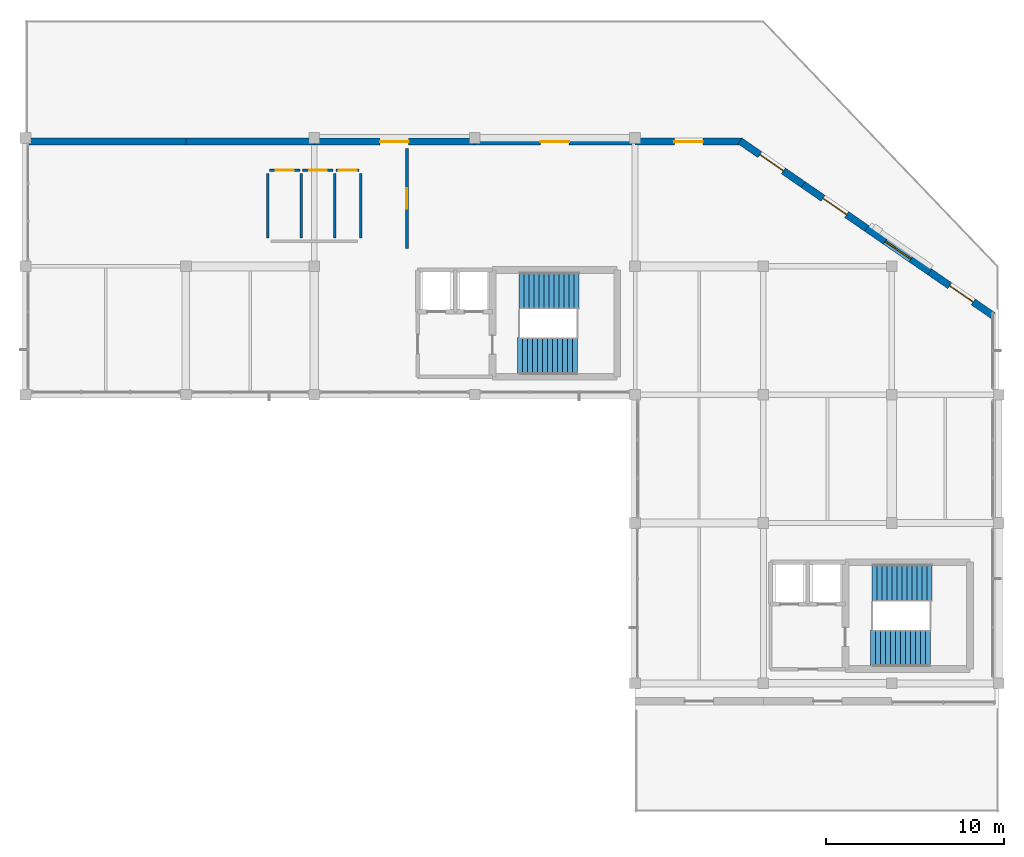
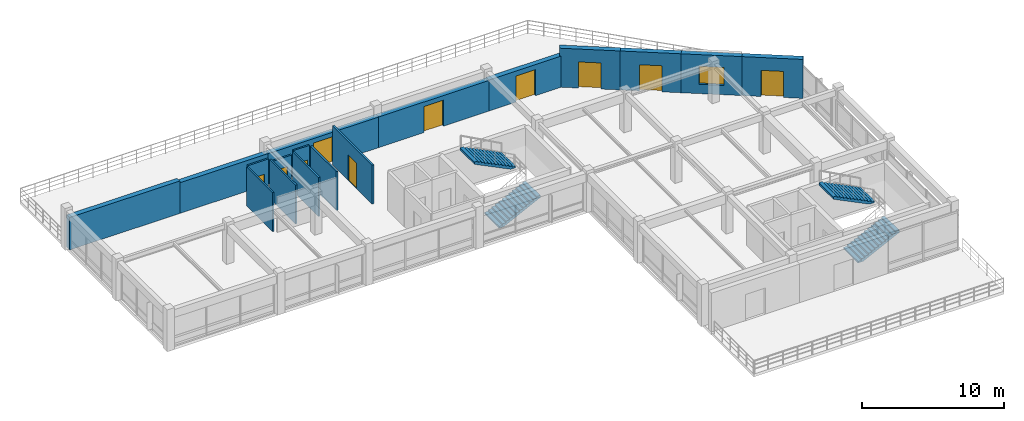
# One storey, part 9 of 12: 17 walls, 10 doors, 4 stair flights, 1 window, 11 openings, 2 elements without a shape of their own.
"""IFC4 building model written with IfcOpenShell, lengths in metres."""

from ifc_helpers import new_model, si_unit, direction, frame, frame_2d, origin, place, context, subcontext, project, spatial, polyline, rectangle, outline, extrude, material, layer, layer_set, type_object, element, fill, aggregate, save


model = new_model("IFC4")

# Units and contexts
model_context = context("Model", 3, precision=1e-05, world=origin(), true_north=direction((0.0, 1.0)))
body_context = subcontext(model_context, "Body", "Model", "MODEL_VIEW")
ifc_project = project(units=[si_unit("LENGTHUNIT", "METRE"), si_unit("AREAUNIT", "SQUARE_METRE"), si_unit("VOLUMEUNIT", "CUBIC_METRE"), si_unit("PLANEANGLEUNIT", "RADIAN"), si_unit("MASSUNIT", "GRAM", prefix="KILO")], contexts=[model_context])

# Site, building, storey
site_placement = place(None, origin())
site = spatial("IfcSite", under=ifc_project, at=site_placement, CompositionType="ELEMENT")
building_placement = place(site_placement, origin())
building = spatial("IfcBuilding", under=site, at=building_placement, Name="Clarverna Civic Hall", CompositionType="ELEMENT")
storey_placement = place(building_placement, frame((0.0, 0.0, 24.0)))
storey = spatial("IfcBuildingStorey", under=building, at=storey_placement, Name="L06", CompositionType="ELEMENT", Elevation=24.0)

# Walls
ifc_material_1 = material(Name="Montjuic Limestone Ashlar Cladding", Category="masonry")
ifc_layer_1 = layer(ifc_material_1, 0.39990234375)
ifc_layer_set_1 = layer_set([ifc_layer_1], Name="Montjuic Limestone Ashlar Cladding")
wall_type_1 = type_object("IfcWallType", Name="EW-02", PredefinedType="SOLIDWALL", material=ifc_layer_set_1)
wall_1_placement = place(storey_placement, frame((113.39990234375, 109.199951171875, 0.0), z_axis=(0.0, 0.0, 1.0), x_axis=(1.0, 0.0, 0.0)))
element("IfcWall", 1, at=wall_1_placement, inside=storey, type_object=wall_type_1, Name="EW-02-271", PredefinedType="SOLIDWALL", context=body_context, shape_type="SweptSolid", body=[
    extrude(rectangle(XDim=9.0, YDim=0.39990234375, at=frame_2d((4.5, 0.0))), origin(), (0.0, 0.0, 1.0), 2.800048828125),
])
wall_2_placement = place(storey_placement, frame((122.39990234375, 109.199951171875, 0.0), z_axis=(0.0, 0.0, 1.0), x_axis=(1.0, 0.0, 0.0)))
element("IfcWall", 2, at=wall_2_placement, inside=storey, type_object=wall_type_1, Name="EW-02-272", PredefinedType="SOLIDWALL", context=body_context, shape_type="SweptSolid", body=[
    extrude(rectangle(XDim=7.2001953125, YDim=0.39990234375, at=frame_2d((3.60009765625, 0.0))), origin(), (0.0, 0.0, 1.0), 2.639892578125),
])

# Wall, opening, door
wall_3_placement = place(storey_placement, frame((129.60009765625, 109.199951171875, 0.0), z_axis=(0.0, 0.0, 1.0), x_axis=(1.0, 0.0, 0.0)))
wall_3 = element("IfcWall", 3, at=wall_3_placement, inside=storey, type_object=wall_type_1, Name="EW-02-273", PredefinedType="SOLIDWALL", context=body_context, shape_type="SweptSolid", body=[
    extrude(rectangle(XDim=9.0, YDim=0.39990234375, at=frame_2d((4.5, 0.0))), origin(), (0.0, 0.0, 1.0), 2.639892578125),
])
opening_1_placement = place(wall_3_placement, frame((3.699951171875, 0.0, 0.0)))
opening_1 = element("IfcOpeningElement", 4, at=opening_1_placement, cuts=wall_3, Name="Opening ED-04", PredefinedType="OPENING", context=body_context, shape_type="SweptSolid", body=[
    extrude(rectangle(XDim=1.60009765625, YDim=2.25, at=frame_2d((0.800048828125, 1.125))), frame((0.0, 0.2099609375, 0.0), z_axis=(0.0, -1.0, 0.0), x_axis=(1.0, 0.0, 0.0)), (0.0, 0.0, 1.0), 0.419921875),
])
ifc_material_2 = material(Name="Anodised Bronze Glazed Door")
door_type_1 = type_object("IfcDoorType", Name="ED-04", OperationType="DOUBLE_DOOR_SINGLE_SWING", PredefinedType="DOOR", material=ifc_material_2)
door_1_placement = place(opening_1_placement, origin())
door_1 = element("IfcDoor", 5, at=door_1_placement, inside=storey, type_object=door_type_1, Name="ED-04-038", OperationType="DOUBLE_DOOR_SINGLE_SWING", OverallHeight=2.25, OverallWidth=1.60009765625, PredefinedType="DOOR", context=body_context, shape_type="SweptSolid", body=[
    extrude(rectangle(XDim=1.60009765625, YDim=2.25, at=frame_2d((0.800048828125, 1.125))), frame((0.0, 0.02490234375, 0.0), z_axis=(0.0, -1.0, 0.0), x_axis=(1.0, 0.0, 0.0)), (0.0, 0.0, 1.0), 0.050048828125),
])
fill(opening_1, door_1)

wall_4_placement = place(storey_placement, frame((138.60009765625, 109.199951171875, 0.0), z_axis=(0.0, 0.0, 1.0), x_axis=(1.0, 0.0, 0.0)))
wall_4 = element("IfcWall", 6, at=wall_4_placement, inside=storey, type_object=wall_type_1, Name="EW-02-274", PredefinedType="SOLIDWALL", context=body_context, shape_type="SweptSolid", body=[
    extrude(rectangle(XDim=9.0, YDim=0.39990234375, at=frame_2d((4.5, 0.0))), origin(), (0.0, 0.0, 1.0), 2.639892578125),
])
opening_2_placement = place(wall_4_placement, frame((3.699951171875, 0.0, 0.0)))
opening_2 = element("IfcOpeningElement", 7, at=opening_2_placement, cuts=wall_4, Name="Opening ED-04", PredefinedType="OPENING", context=body_context, shape_type="SweptSolid", body=[
    extrude(rectangle(XDim=1.60009765625, YDim=2.25, at=frame_2d((0.800048828125, 1.125))), frame((0.0, 0.2099609375, 0.0), z_axis=(0.0, -1.0, 0.0), x_axis=(1.0, 0.0, 0.0)), (0.0, 0.0, 1.0), 0.419921875),
])
door_2_placement = place(opening_2_placement, origin())
door_2 = element("IfcDoor", 8, at=door_2_placement, inside=storey, type_object=door_type_1, Name="ED-04-039", OperationType="DOUBLE_DOOR_SINGLE_SWING", OverallHeight=2.25, OverallWidth=1.60009765625, PredefinedType="DOOR", context=body_context, shape_type="SweptSolid", body=[
    extrude(rectangle(XDim=1.60009765625, YDim=2.25, at=frame_2d((0.800048828125, 1.125))), frame((0.0, 0.02490234375, 0.0), z_axis=(0.0, -1.0, 0.0), x_axis=(1.0, 0.0, 0.0)), (0.0, 0.0, 1.0), 0.050048828125),
])
fill(opening_2, door_2)

wall_5_placement = place(storey_placement, frame((147.60009765625, 109.199951171875, 0.0), z_axis=(0.0, 0.0, 1.0), x_axis=(1.0, 0.0, 0.0)))
wall_5 = element("IfcWall", 9, at=wall_5_placement, inside=storey, type_object=wall_type_1, Name="EW-02-275", PredefinedType="SOLIDWALL", context=body_context, shape_type="SweptSolid", body=[
    extrude(rectangle(XDim=6.0, YDim=0.39990234375, at=frame_2d((3.0, 0.0))), origin(), (0.0, 0.0, 1.0), 2.679931640625),
])
opening_3_placement = place(wall_5_placement, frame((2.199951171875, 0.0, 0.0)))
opening_3 = element("IfcOpeningElement", 10, at=opening_3_placement, cuts=wall_5, Name="Opening ED-04", PredefinedType="OPENING", context=body_context, shape_type="SweptSolid", body=[
    extrude(rectangle(XDim=1.60009765625, YDim=2.25, at=frame_2d((0.800048828125, 1.125))), frame((0.0, 0.2099609375, 0.0), z_axis=(0.0, -1.0, 0.0), x_axis=(1.0, 0.0, 0.0)), (0.0, 0.0, 1.0), 0.419921875),
])
door_3_placement = place(opening_3_placement, origin())
door_3 = element("IfcDoor", 11, at=door_3_placement, inside=storey, type_object=door_type_1, Name="ED-04-040", OperationType="DOUBLE_DOOR_SINGLE_SWING", OverallHeight=2.25, OverallWidth=1.60009765625, PredefinedType="DOOR", context=body_context, shape_type="SweptSolid", body=[
    extrude(rectangle(XDim=1.60009765625, YDim=2.25, at=frame_2d((0.800048828125, 1.125))), frame((0.0, 0.02490234375, 0.0), z_axis=(0.0, -1.0, 0.0), x_axis=(1.0, 0.0, 0.0)), (0.0, 0.0, 1.0), 0.050048828125),
])
fill(opening_3, door_3)

wall_6_placement = place(storey_placement, frame((153.486328125, 109.2353515625, 0.0), z_axis=(0.0, 0.0, 1.0), x_axis=(0.823034869744, -0.567990847801, 0.0)))
wall_6 = element("IfcWall", 12, at=wall_6_placement, inside=storey, type_object=wall_type_1, Name="EW-02-276", PredefinedType="SOLIDWALL", context=body_context, shape_type="SweptSolid", body=[
    extrude(rectangle(XDim=4.3134765625, YDim=0.39990234375, at=frame_2d((2.15673828125, 0.0))), origin(), (0.0, 0.0, 1.0), 3.360107421875),
])
opening_4_placement = place(wall_6_placement, frame((1.356689453125, 0.0, 0.0)))
opening_4 = element("IfcOpeningElement", 13, at=opening_4_placement, cuts=wall_6, Name="Opening ED-04", PredefinedType="OPENING", context=body_context, shape_type="SweptSolid", body=[
    extrude(rectangle(XDim=1.60009765625, YDim=2.25, at=frame_2d((0.800048828125, 1.125))), frame((0.0, 0.2099609375, 0.0), z_axis=(0.0, -1.0, 0.0), x_axis=(1.0, 0.0, 0.0)), (0.0, 0.0, 1.0), 0.419921875),
])
door_4_placement = place(opening_4_placement, origin())
door_4 = element("IfcDoor", 14, at=door_4_placement, inside=storey, type_object=door_type_1, Name="ED-04-041", OperationType="DOUBLE_DOOR_SINGLE_SWING", OverallHeight=2.25, OverallWidth=1.60009765625, PredefinedType="DOOR", context=body_context, shape_type="SweptSolid", body=[
    extrude(rectangle(XDim=1.60009765625, YDim=2.25, at=frame_2d((0.800048828125, 1.125))), frame((0.0, 0.02490234375, 0.0), z_axis=(0.0, -1.0, 0.0), x_axis=(1.0, 0.0, 0.0)), (0.0, 0.0, 1.0), 0.050048828125),
])
fill(opening_4, door_4)

wall_7_placement = place(storey_placement, frame((157.036376953125, 106.785400390625, 0.0), z_axis=(0.0, 0.0, 1.0), x_axis=(0.823034869744, -0.567990847801, 0.0)))
wall_7 = element("IfcWall", 15, at=wall_7_placement, inside=storey, type_object=wall_type_1, Name="EW-02-277", PredefinedType="SOLIDWALL", context=body_context, shape_type="SweptSolid", body=[
    extrude(rectangle(XDim=4.3134765625, YDim=0.39990234375, at=frame_2d((2.15673828125, 0.0))), origin(), (0.0, 0.0, 1.0), 3.360107421875),
])
opening_5_placement = place(wall_7_placement, frame((1.356689453125, 0.0, 0.0)))
opening_5 = element("IfcOpeningElement", 16, at=opening_5_placement, cuts=wall_7, Name="Opening ED-04", PredefinedType="OPENING", context=body_context, shape_type="SweptSolid", body=[
    extrude(rectangle(XDim=1.60009765625, YDim=2.25, at=frame_2d((0.800048828125, 1.125))), frame((0.0, 0.2099609375, 0.0), z_axis=(0.0, -1.0, 0.0), x_axis=(1.0, 0.0, 0.0)), (0.0, 0.0, 1.0), 0.419921875),
])
door_5_placement = place(opening_5_placement, origin())
door_5 = element("IfcDoor", 17, at=door_5_placement, inside=storey, type_object=door_type_1, Name="ED-04-042", OperationType="DOUBLE_DOOR_SINGLE_SWING", OverallHeight=2.25, OverallWidth=1.60009765625, PredefinedType="DOOR", context=body_context, shape_type="SweptSolid", body=[
    extrude(rectangle(XDim=1.60009765625, YDim=2.25, at=frame_2d((0.800048828125, 1.125))), frame((0.0, 0.02490234375, 0.0), z_axis=(0.0, -1.0, 0.0), x_axis=(1.0, 0.0, 0.0)), (0.0, 0.0, 1.0), 0.050048828125),
])
fill(opening_5, door_5)

# Wall, opening, window
wall_8_placement = place(storey_placement, frame((160.58642578125, 104.33544921875, 0.0), z_axis=(0.0, 0.0, 1.0), x_axis=(0.823034869744, -0.567990847801, 0.0)))
wall_8 = element("IfcWall", 18, at=wall_8_placement, inside=storey, type_object=wall_type_1, Name="EW-02-278", PredefinedType="SOLIDWALL", context=body_context, shape_type="SweptSolid", body=[
    extrude(rectangle(XDim=4.3134765625, YDim=0.39990234375, at=frame_2d((2.15673828125, 0.0))), origin(), (0.0, 0.0, 1.0), 3.360107421875),
])
opening_6_placement = place(wall_8_placement, frame((1.28173828125, 0.0, 0.800048828125)))
opening_6 = element("IfcOpeningElement", 19, at=opening_6_placement, cuts=wall_8, Name="Opening WN-27", PredefinedType="OPENING", context=body_context, shape_type="SweptSolid", body=[
    extrude(rectangle(XDim=1.75, YDim=1.550048828125, at=frame_2d((0.875, 0.77490234375))), frame((0.0, 0.2099609375, 0.0), z_axis=(0.0, -1.0, 0.0), x_axis=(1.0, 0.0, 0.0)), (0.0, 0.0, 1.0), 0.419921875),
])
ifc_material_3 = material(Name="Solar-Control Argon Low-E Double Glazing", Category="glass")
window_type = type_object("IfcWindowType", Name="WN-27", PartitioningType="DOUBLE_PANEL_HORIZONTAL", PredefinedType="WINDOW", material=ifc_material_3)
window_placement = place(opening_6_placement, origin())
window = element("IfcWindow", 20, at=window_placement, inside=storey, type_object=window_type, Name="WN-27-001", OverallHeight=1.550048828125, OverallWidth=1.75, PartitioningType="DOUBLE_PANEL_HORIZONTAL", PredefinedType="WINDOW", context=body_context, shape_type="SweptSolid", body=[
    extrude(rectangle(XDim=1.75, YDim=1.550048828125, at=frame_2d((0.875, 0.77490234375))), frame((0.0, 0.030029296875, 0.0), z_axis=(0.0, -1.0, 0.0), x_axis=(1.0, 0.0, 0.0)), (0.0, 0.0, 1.0), 0.06005859375),
])
fill(opening_6, window)

# Wall, opening, door
wall_9_placement = place(storey_placement, frame((164.136474609375, 101.885498046875, 0.0), z_axis=(0.0, 0.0, 1.0), x_axis=(0.822990146685, -0.568055647327, 0.0)))
wall_9 = element("IfcWall", 21, at=wall_9_placement, inside=storey, type_object=wall_type_1, Name="EW-02-279", PredefinedType="SOLIDWALL", context=body_context, shape_type="SweptSolid", body=[
    extrude(rectangle(XDim=4.313232421875, YDim=0.39990234375, at=frame_2d((2.15673828125, 0.0))), origin(), (0.0, 0.0, 1.0), 3.360107421875),
])
opening_7_placement = place(wall_9_placement, frame((1.356689453125, 0.0, 0.0)))
opening_7 = element("IfcOpeningElement", 22, at=opening_7_placement, cuts=wall_9, Name="Opening ED-04", PredefinedType="OPENING", context=body_context, shape_type="SweptSolid", body=[
    extrude(rectangle(XDim=1.60009765625, YDim=2.25, at=frame_2d((0.800048828125, 1.125))), frame((0.0, 0.2099609375, 0.0), z_axis=(0.0, -1.0, 0.0), x_axis=(1.0, 0.0, 0.0)), (0.0, 0.0, 1.0), 0.419921875),
])
door_6_placement = place(opening_7_placement, origin())
door_6 = element("IfcDoor", 23, at=door_6_placement, inside=storey, type_object=door_type_1, Name="ED-04-043", OperationType="DOUBLE_DOOR_SINGLE_SWING", OverallHeight=2.25, OverallWidth=1.60009765625, PredefinedType="DOOR", context=body_context, shape_type="SweptSolid", body=[
    extrude(rectangle(XDim=1.60009765625, YDim=2.25, at=frame_2d((0.800048828125, 1.125))), frame((0.0, 0.02490234375, 0.0), z_axis=(0.0, -1.0, 0.0), x_axis=(1.0, 0.0, 0.0)), (0.0, 0.0, 1.0), 0.050048828125),
])
fill(opening_7, door_6)

ifc_material_4 = material(Name="Acoustic Gypsum Plasterboard Partition", Category="gypsum")
ifc_layer_2 = layer(ifc_material_4, 0.159912109375)
ifc_layer_set_2 = layer_set([ifc_layer_2], Name="Acoustic Gypsum Plasterboard Partition")
wall_type_2 = type_object("IfcWallType", Name="PW-01", PredefinedType="PARTITIONING", material=ifc_layer_set_2)
wall_10_placement = place(storey_placement, frame((134.800048828125, 103.199951171875, 0.0), z_axis=(0.0, 0.0, 1.0), x_axis=(0.0, 1.0, 0.0)))
wall_10 = element("IfcWall", 24, at=wall_10_placement, inside=storey, type_object=wall_type_2, Name="PW-01-008", PredefinedType="PARTITIONING", context=body_context, shape_type="SweptSolid", body=[
    extrude(rectangle(XDim=5.60009765625, YDim=0.159912109375, at=frame_2d((2.800048828125, 0.0))), origin(), (0.0, 0.0, 1.0), 3.360107421875),
])
opening_8_placement = place(wall_10_placement, frame((2.22509765625, 0.0, 0.0)))
opening_8 = element("IfcOpeningElement", 25, at=opening_8_placement, cuts=wall_10, Name="Opening ID-03", PredefinedType="OPENING", context=body_context, shape_type="SweptSolid", body=[
    extrude(rectangle(XDim=1.14990234375, YDim=2.199951171875, at=frame_2d((0.574951171875, 1.10009765625))), frame((0.0, 0.08984375, 0.0), z_axis=(0.0, -1.0, 0.0), x_axis=(1.0, 0.0, 0.0)), (0.0, 0.0, 1.0), 0.179931640625),
])
ifc_material_5 = material(Name="European Oak Veneered Acoustic Timber Door", Category="wood")
door_type_2 = type_object("IfcDoorType", Name="ID-03", OperationType="NOTDEFINED", PredefinedType="DOOR", material=ifc_material_5)
door_7_placement = place(opening_8_placement, origin())
door_7 = element("IfcDoor", 26, at=door_7_placement, inside=storey, type_object=door_type_2, Name="ID-03-006", OperationType="SINGLE_SWING_LEFT", OverallHeight=2.199951171875, OverallWidth=1.14990234375, PredefinedType="DOOR", context=body_context, shape_type="SweptSolid", body=[
    extrude(rectangle(XDim=1.14990234375, YDim=2.199951171875, at=frame_2d((0.574951171875, 1.10009765625))), frame((0.0, 0.02490234375, 0.0), z_axis=(0.0, -1.0, 0.0), x_axis=(1.0, 0.0, 0.0)), (0.0, 0.0, 1.0), 0.050048828125),
])
fill(opening_8, door_7)

# Walls
ifc_material_6 = material(Name="Ceramic Brick and Plaster Wet-Room Partition", Category="masonry")
ifc_layer_3 = layer(ifc_material_6, 0.139892578125)
ifc_layer_set_3 = layer_set([ifc_layer_3], Name="Ceramic Brick and Plaster Wet-Room Partition")
wall_type_3 = type_object("IfcWallType", Name="PW-02", PredefinedType="PARTITIONING", material=ifc_layer_set_3)
for number, where, z_axis, x_axis, name in (
    (27, (127.0, 103.780029296875, 0.0), (0.0, 0.0, 1.0), (0.0, 1.0, 0.0), "PW-02-058"),
    (28, (132.199951171875, 103.780029296875, 0.0), (0.0, 0.0, 1.0), (0.0, 1.0, 0.0), "PW-02-059"),
    (29, (128.8720703125, 103.780029296875, 0.0), (0.0, 0.0, 1.0), (0.0, 1.0, 0.0), "PW-02-060"),
    (30, (130.743896484375, 103.780029296875, 0.0), (0.0, 0.0, 1.0), (0.0, 1.0, 0.0), "PW-02-061"),
):
    element("IfcWall", number, at=place(storey_placement, frame(where, z_axis=z_axis, x_axis=x_axis)), inside=storey, type_object=wall_type_3, Name=name, PredefinedType="PARTITIONING", context=body_context, shape_type="SweptSolid", body=[
        extrude(rectangle(XDim=3.639892578125, YDim=0.139892578125, at=frame_2d((1.81982421875, 0.0))), origin(), (0.0, 0.0, 1.0), 3.360107421875),
    ])

# Wall, opening, door
wall_11_placement = place(storey_placement, frame((127.080078125, 107.60009765625, 0.0), z_axis=(0.0, 0.0, 1.0), x_axis=(1.0, 0.0, 0.0)))
wall_11 = element("IfcWall", 31, at=wall_11_placement, inside=storey, type_object=wall_type_3, Name="PW-02-062", PredefinedType="PARTITIONING", context=body_context, shape_type="SweptSolid", body=[
    extrude(rectangle(XDim=1.7119140625, YDim=0.139892578125, at=frame_2d((0.85595703125, 0.0))), origin(), (0.0, 0.0, 1.0), 3.360107421875),
])
opening_9_placement = place(wall_11_placement, frame((0.35595703125, 0.0, 0.0)))
opening_9 = element("IfcOpeningElement", 32, at=opening_9_placement, cuts=wall_11, Name="Opening ID-02", PredefinedType="OPENING", context=body_context, shape_type="SweptSolid", body=[
    extrude(rectangle(XDim=1.0, YDim=2.14990234375, at=frame_2d((0.5, 1.074951171875))), frame((0.0, 0.079833984375, 0.0), z_axis=(0.0, -1.0, 0.0), x_axis=(1.0, 0.0, 0.0)), (0.0, 0.0, 1.0), 0.159912109375),
])
door_type_3 = type_object("IfcDoorType", Name="ID-02", OperationType="NOTDEFINED", PredefinedType="DOOR", material=ifc_material_5)
door_8_placement = place(opening_9_placement, origin())
door_8 = element("IfcDoor", 33, at=door_8_placement, inside=storey, type_object=door_type_3, Name="ID-02-022", OperationType="SINGLE_SWING_RIGHT", OverallHeight=2.14990234375, OverallWidth=1.0, PredefinedType="DOOR", context=body_context, shape_type="SweptSolid", body=[
    extrude(rectangle(XDim=1.0, YDim=2.14990234375, at=frame_2d((0.5, 1.074951171875))), frame((0.0, 0.02490234375, 0.0), z_axis=(0.0, -1.0, 0.0), x_axis=(1.0, 0.0, 0.0)), (0.0, 0.0, 1.0), 0.050048828125),
])
fill(opening_9, door_8)

wall_12_placement = place(storey_placement, frame((128.951904296875, 107.60009765625, 0.0), z_axis=(0.0, 0.0, 1.0), x_axis=(1.0, 0.0, 0.0)))
wall_12 = element("IfcWall", 34, at=wall_12_placement, inside=storey, type_object=wall_type_3, Name="PW-02-063", PredefinedType="PARTITIONING", context=body_context, shape_type="SweptSolid", body=[
    extrude(rectangle(XDim=1.712158203125, YDim=0.139892578125, at=frame_2d((0.85595703125, 0.0))), origin(), (0.0, 0.0, 1.0), 3.030029296875),
])
opening_10_placement = place(wall_12_placement, frame((0.35595703125, 0.0, 0.0)))
opening_10 = element("IfcOpeningElement", 35, at=opening_10_placement, cuts=wall_12, Name="Opening ID-02", PredefinedType="OPENING", context=body_context, shape_type="SweptSolid", body=[
    extrude(rectangle(XDim=1.0, YDim=2.14990234375, at=frame_2d((0.5, 1.074951171875))), frame((0.0, 0.079833984375, 0.0), z_axis=(0.0, -1.0, 0.0), x_axis=(1.0, 0.0, 0.0)), (0.0, 0.0, 1.0), 0.159912109375),
])
door_9_placement = place(opening_10_placement, origin())
door_9 = element("IfcDoor", 36, at=door_9_placement, inside=storey, type_object=door_type_3, Name="ID-02-023", OperationType="SINGLE_SWING_LEFT", OverallHeight=2.14990234375, OverallWidth=1.0, PredefinedType="DOOR", context=body_context, shape_type="SweptSolid", body=[
    extrude(rectangle(XDim=1.0, YDim=2.14990234375, at=frame_2d((0.5, 1.074951171875))), frame((0.0, 0.02490234375, 0.0), z_axis=(0.0, -1.0, 0.0), x_axis=(1.0, 0.0, 0.0)), (0.0, 0.0, 1.0), 0.050048828125),
])
fill(opening_10, door_9)

wall_13_placement = place(storey_placement, frame((130.823974609375, 107.60009765625, 0.0), z_axis=(0.0, 0.0, 1.0), x_axis=(1.0, 0.0, 0.0)))
wall_13 = element("IfcWall", 37, at=wall_13_placement, inside=storey, type_object=wall_type_3, Name="PW-02-064", PredefinedType="PARTITIONING", context=body_context, shape_type="SweptSolid", body=[
    extrude(rectangle(XDim=1.296142578125, YDim=0.139892578125, at=frame_2d((0.64794921875, 0.0))), origin(), (0.0, 0.0, 1.0), 3.360107421875),
])
opening_11_placement = place(wall_13_placement, frame((0.14794921875, 0.0, 0.0)))
opening_11 = element("IfcOpeningElement", 38, at=opening_11_placement, cuts=wall_13, Name="Opening ID-02", PredefinedType="OPENING", context=body_context, shape_type="SweptSolid", body=[
    extrude(rectangle(XDim=1.0, YDim=2.14990234375, at=frame_2d((0.5, 1.074951171875))), frame((0.0, 0.079833984375, 0.0), z_axis=(0.0, -1.0, 0.0), x_axis=(1.0, 0.0, 0.0)), (0.0, 0.0, 1.0), 0.159912109375),
])
door_10_placement = place(opening_11_placement, origin())
door_10 = element("IfcDoor", 39, at=door_10_placement, inside=storey, type_object=door_type_3, Name="ID-02-024", OperationType="SINGLE_SWING_RIGHT", OverallHeight=2.14990234375, OverallWidth=1.0, PredefinedType="DOOR", context=body_context, shape_type="SweptSolid", body=[
    extrude(rectangle(XDim=1.0, YDim=2.14990234375, at=frame_2d((0.5, 1.074951171875))), frame((0.0, 0.02490234375, 0.0), z_axis=(0.0, -1.0, 0.0), x_axis=(1.0, 0.0, 0.0)), (0.0, 0.0, 1.0), 0.050048828125),
])
fill(opening_11, door_10)

# Stair, stair flights
ifc_material_7 = material(Name="Concrete C30/37", Category="concrete")
stair_type = type_object("IfcStairType", Name="ST-H1", PredefinedType="HALF_TURN_STAIR", material=ifc_material_7)
stair_1_placement = place(storey_placement, origin())
stair_1 = element("IfcStair", 40, at=stair_1_placement, inside=storey, type_object=stair_type, Name="ST-H1:L06:0006", PredefinedType="HALF_TURN_STAIR")
stair_flight_type = type_object("IfcStairFlightType", Name="SF-02", PredefinedType="STRAIGHT", material=ifc_material_7)
stair_flight_1_placement = place(storey_placement, frame((141.010009765625, 97.179931640625, 0.0), z_axis=(0.0, 0.0, 1.0), x_axis=(1.0, 0.0, 0.0)))
stair_flight_1 = element("IfcStairFlight", 41, at=stair_flight_1_placement, type_object=stair_flight_type, Name="SF-02:L06:0011", NumberOfRisers=13, NumberOfTreads=12, PredefinedType="STRAIGHT", RiserHeight=0.138462, TreadLength=0.28, context=body_context, shape_type="SweptSolid", body=[
    extrude(outline(polyline([(0.0, 0.0), (0.0, 0.138427734375), (0.280029296875, 0.138427734375), (0.280029296875, 0.27685546875), (0.56005859375, 0.27685546875), (0.56005859375, 0.415283203125), (0.840087890625, 0.415283203125), (0.840087890625, 0.553955078125), (1.1201171875, 0.553955078125), (1.1201171875, 0.6923828125), (1.39990234375, 0.6923828125), (1.39990234375, 0.830810546875), (1.679931640625, 0.830810546875), (1.679931640625, 0.96923828125), (1.9599609375, 0.96923828125), (1.9599609375, 1.107666015625), (2.239990234375, 1.107666015625), (2.239990234375, 1.24609375), (2.52001953125, 1.24609375), (2.52001953125, 1.384521484375), (2.800048828125, 1.384521484375), (2.800048828125, 1.523193359375), (3.080078125, 1.523193359375), (3.080078125, 1.66162109375), (3.360107421875, 1.66162109375), (3.360107421875, 1.800048828125), (3.360107421875, 1.460693359375), (0.406005859375, 0.0), (0.0, 0.0)])), frame((0.0, 1.02001953125, 0.0), z_axis=(0.0, -1.0, 0.0), x_axis=(1.0, 0.0, 0.0)), (0.0, 0.0, 1.0), 2.0400390625),
])
stair_flight_2_placement = place(storey_placement, frame((144.4599609375, 100.820068359375, 1.800048828125), z_axis=(0.0, 0.0, 1.0), x_axis=(-1.0, 0.0, 0.0)))
stair_flight_2 = element("IfcStairFlight", 42, at=stair_flight_2_placement, type_object=stair_flight_type, Name="SF-02:L06:0012", NumberOfRisers=13, NumberOfTreads=12, PredefinedType="STRAIGHT", RiserHeight=0.138462, TreadLength=0.28, context=body_context, shape_type="SweptSolid", body=[
    extrude(outline(polyline([(0.0, 0.0), (0.0, 0.138427734375), (0.280029296875, 0.138427734375), (0.280029296875, 0.27685546875), (0.56005859375, 0.27685546875), (0.56005859375, 0.415283203125), (0.840087890625, 0.415283203125), (0.840087890625, 0.553955078125), (1.1201171875, 0.553955078125), (1.1201171875, 0.6923828125), (1.39990234375, 0.6923828125), (1.39990234375, 0.830810546875), (1.679931640625, 0.830810546875), (1.679931640625, 0.96923828125), (1.9599609375, 0.96923828125), (1.9599609375, 1.107666015625), (2.239990234375, 1.107666015625), (2.239990234375, 1.24609375), (2.52001953125, 1.24609375), (2.52001953125, 1.384521484375), (2.800048828125, 1.384521484375), (2.800048828125, 1.523193359375), (3.080078125, 1.523193359375), (3.080078125, 1.66162109375), (3.360107421875, 1.66162109375), (3.360107421875, 1.800048828125), (3.360107421875, 1.460693359375), (0.406005859375, 0.0), (0.0, 0.0)])), frame((0.0, 1.02001953125, 0.0), z_axis=(0.0, -1.0, 0.0), x_axis=(1.0, 0.0, 0.0)), (0.0, 0.0, 1.0), 2.0400390625),
])
aggregate(stair_1, [stair_flight_1, stair_flight_2])

stair_2_placement = place(storey_placement, origin())
stair_2 = element("IfcStair", 43, at=stair_2_placement, inside=storey, type_object=stair_type, Name="ST-H1:L06:0012", PredefinedType="HALF_TURN_STAIR")
stair_flight_3_placement = place(storey_placement, frame((160.81005859375, 80.780029296875, 0.0), z_axis=(0.0, 0.0, 1.0), x_axis=(1.0, 0.0, 0.0)))
stair_flight_3 = element("IfcStairFlight", 44, at=stair_flight_3_placement, type_object=stair_flight_type, Name="SF-02:L06:0023", NumberOfRisers=13, NumberOfTreads=12, PredefinedType="STRAIGHT", RiserHeight=0.138462, TreadLength=0.28, context=body_context, shape_type="SweptSolid", body=[
    extrude(outline(polyline([(0.0, 0.0), (0.0, 0.138427734375), (0.280029296875, 0.138427734375), (0.280029296875, 0.27685546875), (0.56005859375, 0.27685546875), (0.56005859375, 0.415283203125), (0.840087890625, 0.415283203125), (0.840087890625, 0.553955078125), (1.1201171875, 0.553955078125), (1.1201171875, 0.6923828125), (1.39990234375, 0.6923828125), (1.39990234375, 0.830810546875), (1.679931640625, 0.830810546875), (1.679931640625, 0.96923828125), (1.9599609375, 0.96923828125), (1.9599609375, 1.107666015625), (2.239990234375, 1.107666015625), (2.239990234375, 1.24609375), (2.52001953125, 1.24609375), (2.52001953125, 1.384521484375), (2.800048828125, 1.384521484375), (2.800048828125, 1.523193359375), (3.080078125, 1.523193359375), (3.080078125, 1.66162109375), (3.360107421875, 1.66162109375), (3.360107421875, 1.800048828125), (3.360107421875, 1.460693359375), (0.406005859375, 0.0), (0.0, 0.0)])), frame((0.0, 1.02001953125, 0.0), z_axis=(0.0, -1.0, 0.0), x_axis=(1.0, 0.0, 0.0)), (0.0, 0.0, 1.0), 2.0400390625),
])
stair_flight_4_placement = place(storey_placement, frame((164.260009765625, 84.419921875, 1.800048828125), z_axis=(0.0, 0.0, 1.0), x_axis=(-1.0, 0.0, 0.0)))
stair_flight_4 = element("IfcStairFlight", 45, at=stair_flight_4_placement, type_object=stair_flight_type, Name="SF-02:L06:0024", NumberOfRisers=13, NumberOfTreads=12, PredefinedType="STRAIGHT", RiserHeight=0.138462, TreadLength=0.28, context=body_context, shape_type="SweptSolid", body=[
    extrude(outline(polyline([(0.0, 0.0), (0.0, 0.138427734375), (0.280029296875, 0.138427734375), (0.280029296875, 0.27685546875), (0.56005859375, 0.27685546875), (0.56005859375, 0.415283203125), (0.840087890625, 0.415283203125), (0.840087890625, 0.553955078125), (1.1201171875, 0.553955078125), (1.1201171875, 0.6923828125), (1.39990234375, 0.6923828125), (1.39990234375, 0.830810546875), (1.679931640625, 0.830810546875), (1.679931640625, 0.96923828125), (1.9599609375, 0.96923828125), (1.9599609375, 1.107666015625), (2.239990234375, 1.107666015625), (2.239990234375, 1.24609375), (2.52001953125, 1.24609375), (2.52001953125, 1.384521484375), (2.800048828125, 1.384521484375), (2.800048828125, 1.523193359375), (3.080078125, 1.523193359375), (3.080078125, 1.66162109375), (3.360107421875, 1.66162109375), (3.360107421875, 1.800048828125), (3.360107421875, 1.460693359375), (0.406005859375, 0.0), (0.0, 0.0)])), frame((0.0, 1.02001953125, 0.0), z_axis=(0.0, -1.0, 0.0), x_axis=(1.0, 0.0, 0.0)), (0.0, 0.0, 1.0), 2.0400390625),
])
aggregate(stair_2, [stair_flight_3, stair_flight_4])

save(model, "model.ifc")
